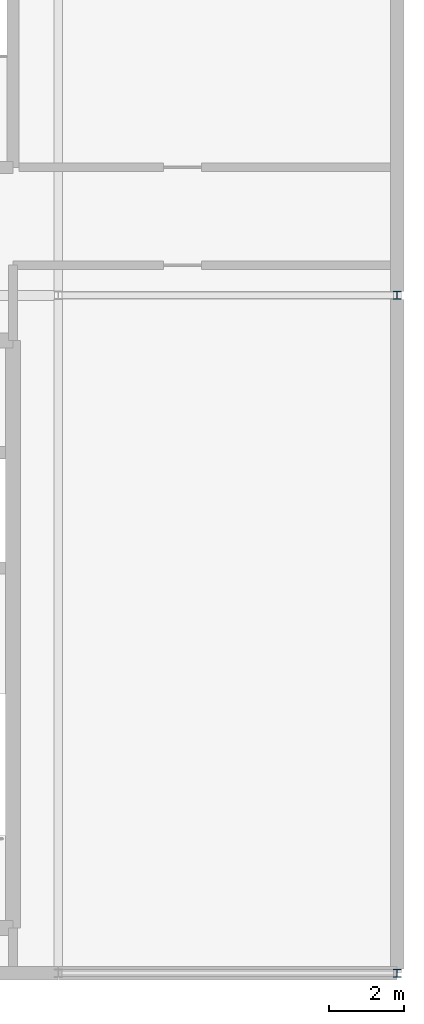
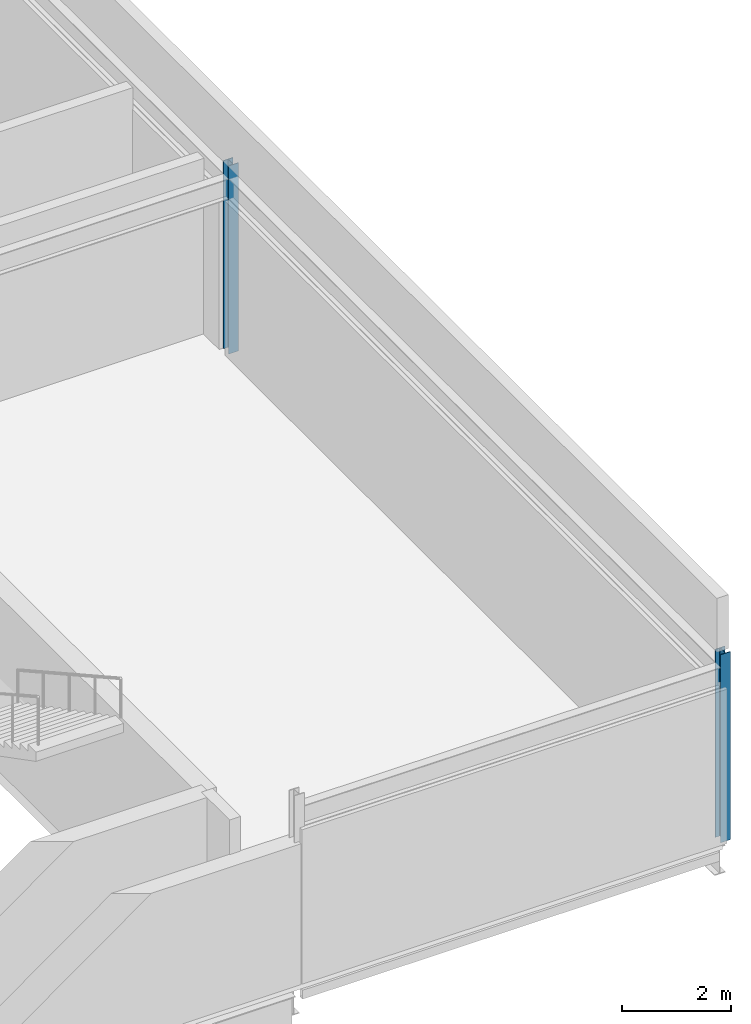
# One storey, part 8 of 23: 2 columns.
"""IFC4 building model written with IfcOpenShell, lengths in metres."""

from ifc_helpers import new_model, si_unit, direction, frame, origin, origin_2d, place, context, subcontext, project, spatial, i_section, extrude, material, material_profile, profile_set, type_object, element, save


model = new_model("IFC4")

# Units and contexts
model_context = context("Model", 3, precision=1e-05, world=origin(), true_north=direction((0.0, 1.0)))
body_context = subcontext(model_context, "Body", "Model", "MODEL_VIEW")
ifc_project = project(units=[si_unit("LENGTHUNIT", "METRE"), si_unit("AREAUNIT", "SQUARE_METRE"), si_unit("VOLUMEUNIT", "CUBIC_METRE"), si_unit("PLANEANGLEUNIT", "RADIAN"), si_unit("MASSUNIT", "GRAM", prefix="KILO")], contexts=[model_context])

# Site, building, storey
site_placement = place(None, origin())
site = spatial("IfcSite", under=ifc_project, at=site_placement, CompositionType="ELEMENT")
building_placement = place(site_placement, origin())
building = spatial("IfcBuilding", under=site, at=building_placement, Name="Kisiwana Market Hall", CompositionType="ELEMENT")
storey_placement = place(building_placement, frame((0.0, 0.0, 65.699951171875)))
storey = spatial("IfcBuildingStorey", under=building, at=storey_placement, Name="L15", CompositionType="ELEMENT", Elevation=65.699951171875)

# Columns
ifc_material = material(Name="Steel S355", Category="steel")
ifc_material_profile = material_profile(ifc_material, i_section(OverallWidth=0.205810546875, OverallDepth=0.209716796875, WebThickness=0.009521484375, FlangeThickness=0.01416015625, FilletRadius=0.01025390625, at=origin_2d()), Name="UC 203x203x60")
ifc_profile_set = profile_set([ifc_material_profile], Name="Steel S355")
column_type = type_object("IfcColumnType", Name="COL-STL-UC060", PredefinedType="COLUMN", material=ifc_profile_set)
for number, where, z_axis, x_axis, name in (
    (1, (198.0, 18.0, 0.0), (0.0, 0.0, 1.0), (1.0, 0.0, 0.0), "Column C/23 (L15) C-1503"),
    (2, (198.0, 36.0, 0.0), (0.0, 0.0, 1.0), (1.0, 0.0, 0.0), "Column E/23 (L15) C-1504"),
):
    element("IfcColumn", number, at=place(storey_placement, frame(where, z_axis=z_axis, x_axis=x_axis)), inside=storey, type_object=column_type, Name=name, PredefinedType="COLUMN", context=body_context, shape_type="SweptSolid", body=[
        extrude(i_section(OverallWidth=0.205810546875, OverallDepth=0.209716796875, WebThickness=0.009521484375, FlangeThickness=0.01416015625, FilletRadius=0.01025390625, at=origin_2d()), origin(), (0.0, 0.0, 1.0), 4.199951171875),
    ])

save(model, "model.ifc")
